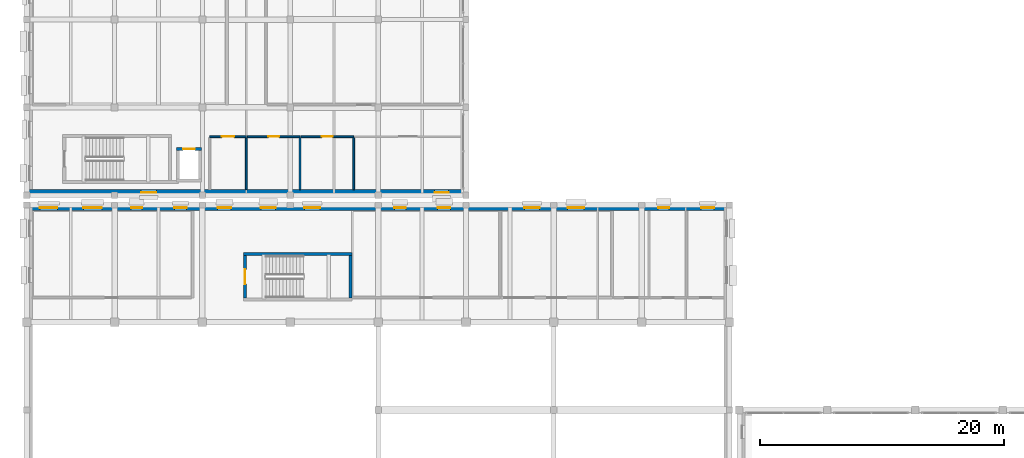
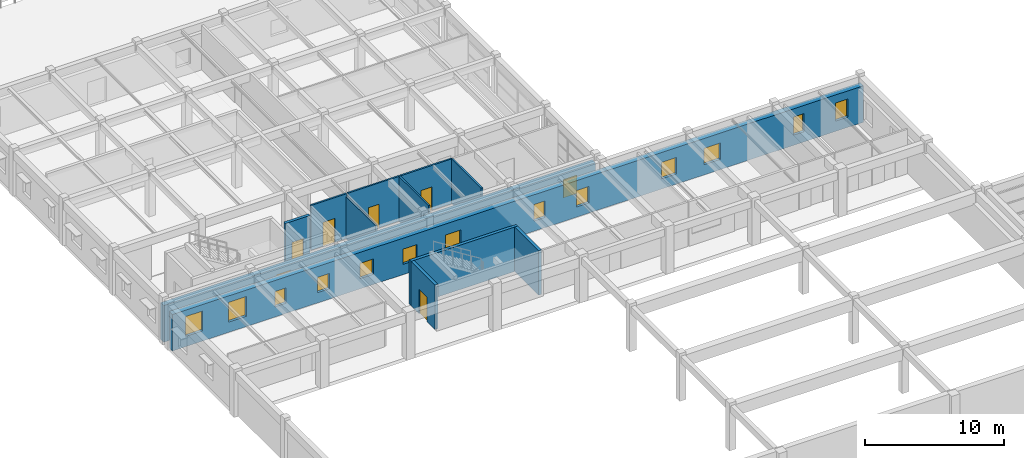
# One storey, part 45 of 67: 15 windows, 12 walls, 5 doors, 20 openings.
"""IFC4 building model written with IfcOpenShell, lengths in metres."""

from ifc_helpers import new_model, si_unit, direction, frame, frame_2d, origin, place, context, subcontext, project, spatial, rectangle, extrude, material, layer, layer_set, type_object, element, fill, save


model = new_model("IFC4")

# Units and contexts
model_context = context("Model", 3, precision=1e-05, world=origin(), true_north=direction((0.0, 1.0)))
body_context = subcontext(model_context, "Body", "Model", "MODEL_VIEW")
ifc_project = project(units=[si_unit("LENGTHUNIT", "METRE"), si_unit("AREAUNIT", "SQUARE_METRE"), si_unit("VOLUMEUNIT", "CUBIC_METRE"), si_unit("PLANEANGLEUNIT", "RADIAN"), si_unit("MASSUNIT", "GRAM", prefix="KILO")], contexts=[model_context])

# Site, building, storey
site_placement = place(None, origin())
site = spatial("IfcSite", under=ifc_project, at=site_placement, CompositionType="ELEMENT")
building_placement = place(site_placement, origin())
building = spatial("IfcBuilding", under=site, at=building_placement, Name="Bramveld Media Centre", CompositionType="ELEMENT")
storey_placement = place(building_placement, frame((0.0, 0.0, 5.39990234375)))
storey = spatial("IfcBuildingStorey", under=building, at=storey_placement, Name="L01", CompositionType="ELEMENT", Elevation=5.39990234375)

# Wall
ifc_material_1 = material(Name="Concrete C40/50 stair & lift core wall", Category="concrete")
ifc_layer_1 = layer(ifc_material_1, 0.25)
ifc_layer_set_1 = layer_set([ifc_layer_1], Name="Concrete C40/50 stair & lift core wall")
wall_type_1 = type_object("IfcWallType", Name="CWALL-SHEAR-250", PredefinedType="SHEAR", material=ifc_layer_set_1)
wall_1_placement = place(storey_placement, frame((26.64990234375, 34.375, 0.0), z_axis=(0.0, 0.0, 1.0), x_axis=(-1.0, 0.0, 0.0)))
element("IfcWall", 1, at=wall_1_placement, inside=storey, type_object=wall_type_1, Name="ST-05 L01 stair core shear wall N", PredefinedType="SHEAR", context=body_context, shape_type="SweptSolid", body=[
    extrude(rectangle(XDim=8.89990234375, YDim=0.25, at=frame_2d((4.449951171875, 0.0))), origin(), (0.0, 0.0, 1.0), 3.920166015625),
])

# Wall, opening, door
wall_2_placement = place(storey_placement, frame((17.875, 34.25, 0.0), z_axis=(0.0, 0.0, 1.0), x_axis=(0.0, -1.0, 0.0)))
wall_2 = element("IfcWall", 2, at=wall_2_placement, inside=storey, type_object=wall_type_1, Name="ST-05 L01 stair core shear wall W", PredefinedType="SHEAR", context=body_context, shape_type="SweptSolid", body=[
    extrude(rectangle(XDim=3.449951171875, YDim=0.25, at=frame_2d((1.72509765625, 0.0))), origin(), (0.0, 0.0, 1.0), 3.920166015625),
])
opening_1_placement = place(wall_2_placement, frame((1.125, 0.0, 0.0)))
opening_1 = element("IfcOpeningElement", 3, at=opening_1_placement, cuts=wall_2, Name="Opening SD-05-L01", PredefinedType="OPENING", context=body_context, shape_type="SweptSolid", body=[
    extrude(rectangle(XDim=1.199951171875, YDim=2.14990234375, at=frame_2d((0.60009765625, 1.074951171875))), frame((0.0, 0.136962890625, 0.0), z_axis=(0.0, -1.0, 0.0), x_axis=(1.0, 0.0, 0.0)), (0.0, 0.0, 1.0), 0.27392578125),
])
ifc_material_2 = material(Name="Painted galvanized steel acoustic fire door with intumescent smoke seals", Category="steel")
door_type_1 = type_object("IfcDoorType", Name="DR-ST-1200", OperationType="NOTDEFINED", PredefinedType="DOOR", material=ifc_material_2)
door_1_placement = place(opening_1_placement, origin())
door_1 = element("IfcDoor", 4, at=door_1_placement, inside=storey, type_object=door_type_1, Name="ST-05 L01 pressurized stair fire door", OperationType="SINGLE_SWING_RIGHT", OverallHeight=2.14990234375, OverallWidth=1.199951171875, PredefinedType="DOOR", context=body_context, shape_type="SweptSolid", body=[
    extrude(rectangle(XDim=1.199951171875, YDim=2.14990234375, at=frame_2d((0.60009765625, 1.074951171875))), frame((0.0, 0.02490234375, 0.0), z_axis=(0.0, -1.0, 0.0), x_axis=(1.0, 0.0, 0.0)), (0.0, 0.0, 1.0), 0.050048828125),
])
fill(opening_1, door_1)

# Wall
wall_3_placement = place(storey_placement, frame((26.52490234375, 30.800048828125, 0.0), z_axis=(0.0, 0.0, 1.0), x_axis=(0.0, 1.0, 0.0)))
element("IfcWall", 5, at=wall_3_placement, inside=storey, type_object=wall_type_1, Name="ST-05 L01 stair core shear wall E", PredefinedType="SHEAR", context=body_context, shape_type="SweptSolid", body=[
    extrude(rectangle(XDim=3.449951171875, YDim=0.25, at=frame_2d((1.72509765625, 0.0))), origin(), (0.0, 0.0, 1.0), 3.920166015625),
])

# Wall, opening, door
wall_4_placement = place(storey_placement, frame((14.324951171875, 43.0, 0.0), z_axis=(0.0, 0.0, 1.0), x_axis=(-1.0, 0.0, 0.0)))
wall_4 = element("IfcWall", 6, at=wall_4_placement, inside=storey, type_object=wall_type_1, Name="PL-05 L01 lift shaft wall N", PredefinedType="SHEAR", context=body_context, shape_type="SweptSolid", body=[
    extrude(rectangle(XDim=2.050048828125, YDim=0.25, at=frame_2d((1.02490234375, 0.0))), origin(), (0.0, 0.0, 1.0), 3.940185546875),
])
opening_2_placement = place(wall_4_placement, frame((0.550048828125, 0.0, 0.0)))
opening_2 = element("IfcOpeningElement", 7, at=opening_2_placement, cuts=wall_4, Name="Opening LD-03-05-L01", PredefinedType="OPENING", context=body_context, shape_type="SweptSolid", body=[
    extrude(rectangle(XDim=0.949951171875, YDim=2.10009765625, at=frame_2d((0.47509765625, 1.050048828125))), frame((0.0, 0.136962890625, 0.0), z_axis=(0.0, -1.0, 0.0), x_axis=(1.0, 0.0, 0.0)), (0.0, 0.0, 1.0), 0.27392578125),
])
ifc_material_3 = material(Name="Brushed stainless steel automatic fire-rated sliding lift landing door", Category="steel")
door_type_2 = type_object("IfcDoorType", Name="LD-TYPE-03", OperationType="SLIDING_TO_LEFT", PredefinedType="DOOR", material=ifc_material_3)
door_2_placement = place(opening_2_placement, origin())
door_2 = element("IfcDoor", 8, at=door_2_placement, inside=storey, type_object=door_type_2, Name="PL-05 L01 sliding lift landing door", OperationType="SLIDING_TO_LEFT", OverallHeight=2.10009765625, OverallWidth=0.949951171875, PredefinedType="DOOR", context=body_context, shape_type="SweptSolid", body=[
    extrude(rectangle(XDim=0.949951171875, YDim=2.10009765625, at=frame_2d((0.47509765625, 1.050048828125))), frame((0.0, 0.02490234375, 0.0), z_axis=(0.0, -1.0, 0.0), x_axis=(1.0, 0.0, 0.0)), (0.0, 0.0, 1.0), 0.050048828125),
])
fill(opening_2, door_2)

# Wall, openings, windows
ifc_material_4 = material(Name="Flemish red-brown clay facing brick cavity wall with concrete C35/45 inner leaf", Category="masonry")
ifc_layer_2 = layer(ifc_material_4, 0.4599609375)
ifc_layer_set_2 = layer_set([ifc_layer_2], Name="Flemish red-brown clay facing brick cavity wall with concrete C35/45 inner leaf")
wall_type_2 = type_object("IfcWallType", Name="EW-BRK-460", PredefinedType="SOLIDWALL", material=ifc_layer_set_2)
wall_5_placement = place(storey_placement, frame((0.0, 38.169921875, 0.0), z_axis=(0.0, 0.0, 1.0), x_axis=(1.0, 0.0, 0.0)))
wall_5 = element("IfcWall", 9, at=wall_5_placement, inside=storey, type_object=wall_type_2, Name="V2 L01 N facing brick exterior wall", PredefinedType="SOLIDWALL", context=body_context, shape_type="SweptSolid", body=[
    extrude(rectangle(XDim=57.60009765625, YDim=0.4599609375, at=frame_2d((28.800048828125, 0.0))), origin(), (0.0, 0.0, 1.0), 3.215087890625),
])
opening_3_placement = place(wall_5_placement, frame((1.080078125, 0.0, 0.89990234375)))
opening_3 = element("IfcOpeningElement", 10, at=opening_3_placement, cuts=wall_5, Name="Opening W-23", PredefinedType="OPENING", context=body_context, shape_type="SweptSolid", body=[
    extrude(rectangle(XDim=1.43994140625, YDim=1.75, at=frame_2d((0.719970703125, 0.875))), frame((0.0, 0.241943359375, 0.0), z_axis=(0.0, -1.0, 0.0), x_axis=(1.0, 0.0, 0.0)), (0.0, 0.0, 1.0), 0.48388671875),
])
opening_4_placement = place(wall_5_placement, frame((4.64990234375, 0.0, 0.89990234375)))
opening_4 = element("IfcOpeningElement", 11, at=opening_4_placement, cuts=wall_5, Name="Opening W-24", PredefinedType="OPENING", context=body_context, shape_type="SweptSolid", body=[
    extrude(rectangle(XDim=1.5, YDim=1.75, at=frame_2d((0.75, 0.875))), frame((0.0, 0.241943359375, 0.0), z_axis=(0.0, -1.0, 0.0), x_axis=(1.0, 0.0, 0.0)), (0.0, 0.0, 1.0), 0.48388671875),
])
opening_5_placement = place(wall_5_placement, frame((8.550048828125, 0.0, 0.89990234375)))
opening_5 = element("IfcOpeningElement", 12, at=opening_5_placement, cuts=wall_5, Name="Opening W-01", PredefinedType="OPENING", context=body_context, shape_type="SweptSolid", body=[
    extrude(rectangle(XDim=0.89990234375, YDim=1.35009765625, at=frame_2d((0.449951171875, 0.675048828125))), frame((0.0, 0.241943359375, 0.0), z_axis=(0.0, -1.0, 0.0), x_axis=(1.0, 0.0, 0.0)), (0.0, 0.0, 1.0), 0.48388671875),
])
opening_6_placement = place(wall_5_placement, frame((12.10009765625, 0.0, 0.89990234375)))
opening_6 = element("IfcOpeningElement", 13, at=opening_6_placement, cuts=wall_5, Name="Opening W-02", PredefinedType="OPENING", context=body_context, shape_type="SweptSolid", body=[
    extrude(rectangle(XDim=1.0, YDim=1.35009765625, at=frame_2d((0.5, 0.675048828125))), frame((0.0, 0.241943359375, 0.0), z_axis=(0.0, -1.0, 0.0), x_axis=(1.0, 0.0, 0.0)), (0.0, 0.0, 1.0), 0.48388671875),
])
opening_7_placement = place(wall_5_placement, frame((15.64990234375, 0.0, 0.89990234375)))
opening_7 = element("IfcOpeningElement", 14, at=opening_7_placement, cuts=wall_5, Name="Opening W-03", PredefinedType="OPENING", context=body_context, shape_type="SweptSolid", body=[
    extrude(rectangle(XDim=1.10009765625, YDim=1.35009765625, at=frame_2d((0.550048828125, 0.675048828125))), frame((0.0, 0.241943359375, 0.0), z_axis=(0.0, -1.0, 0.0), x_axis=(1.0, 0.0, 0.0)), (0.0, 0.0, 1.0), 0.48388671875),
])
opening_8_placement = place(wall_5_placement, frame((19.199951171875, 0.0, 0.89990234375)))
opening_8 = element("IfcOpeningElement", 15, at=opening_8_placement, cuts=wall_5, Name="Opening W-04", PredefinedType="OPENING", context=body_context, shape_type="SweptSolid", body=[
    extrude(rectangle(XDim=1.199951171875, YDim=1.35009765625, at=frame_2d((0.60009765625, 0.675048828125))), frame((0.0, 0.241943359375, 0.0), z_axis=(0.0, -1.0, 0.0), x_axis=(1.0, 0.0, 0.0)), (0.0, 0.0, 1.0), 0.48388671875),
])
opening_9_placement = place(wall_5_placement, frame((22.75, 0.0, 0.89990234375)))
opening_9 = element("IfcOpeningElement", 16, at=opening_9_placement, cuts=wall_5, Name="Opening W-05", PredefinedType="OPENING", context=body_context, shape_type="SweptSolid", body=[
    extrude(rectangle(XDim=1.300048828125, YDim=1.35009765625, at=frame_2d((0.64990234375, 0.675048828125))), frame((0.0, 0.241943359375, 0.0), z_axis=(0.0, -1.0, 0.0), x_axis=(1.0, 0.0, 0.0)), (0.0, 0.0, 1.0), 0.48388671875),
])
opening_10_placement = place(wall_5_placement, frame((30.125, 0.0, 0.89990234375)))
opening_10 = element("IfcOpeningElement", 17, at=opening_10_placement, cuts=wall_5, Name="Opening W-07", PredefinedType="OPENING", context=body_context, shape_type="SweptSolid", body=[
    extrude(rectangle(XDim=0.949951171875, YDim=1.449951171875, at=frame_2d((0.47509765625, 0.72509765625))), frame((0.0, 0.241943359375, 0.0), z_axis=(0.0, -1.0, 0.0), x_axis=(1.0, 0.0, 0.0)), (0.0, 0.0, 1.0), 0.48388671875),
])
opening_11_placement = place(wall_5_placement, frame((33.675048828125, 0.0, 0.89990234375)))
opening_11 = element("IfcOpeningElement", 18, at=opening_11_placement, cuts=wall_5, Name="Opening W-08", PredefinedType="OPENING", context=body_context, shape_type="SweptSolid", body=[
    extrude(rectangle(XDim=1.050048828125, YDim=1.449951171875, at=frame_2d((0.52490234375, 0.72509765625))), frame((0.0, 0.241943359375, 0.0), z_axis=(0.0, -1.0, 0.0), x_axis=(1.0, 0.0, 0.0)), (0.0, 0.0, 1.0), 0.48388671875),
])
opening_12_placement = place(wall_5_placement, frame((40.77490234375, 0.0, 0.89990234375)))
opening_12 = element("IfcOpeningElement", 19, at=opening_12_placement, cuts=wall_5, Name="Opening W-10", PredefinedType="OPENING", context=body_context, shape_type="SweptSolid", body=[
    extrude(rectangle(XDim=1.25, YDim=1.449951171875, at=frame_2d((0.625, 0.72509765625))), frame((0.0, 0.241943359375, 0.0), z_axis=(0.0, -1.0, 0.0), x_axis=(1.0, 0.0, 0.0)), (0.0, 0.0, 1.0), 0.48388671875),
])
opening_13_placement = place(wall_5_placement, frame((44.324951171875, 0.0, 0.89990234375)))
opening_13 = element("IfcOpeningElement", 20, at=opening_13_placement, cuts=wall_5, Name="Opening W-11", PredefinedType="OPENING", context=body_context, shape_type="SweptSolid", body=[
    extrude(rectangle(XDim=1.35009765625, YDim=1.449951171875, at=frame_2d((0.675048828125, 0.72509765625))), frame((0.0, 0.241943359375, 0.0), z_axis=(0.0, -1.0, 0.0), x_axis=(1.0, 0.0, 0.0)), (0.0, 0.0, 1.0), 0.48388671875),
])
opening_14_placement = place(wall_5_placement, frame((51.75, 0.0, 0.89990234375)))
opening_14 = element("IfcOpeningElement", 21, at=opening_14_placement, cuts=wall_5, Name="Opening W-13", PredefinedType="OPENING", context=body_context, shape_type="SweptSolid", body=[
    extrude(rectangle(XDim=0.89990234375, YDim=1.60009765625, at=frame_2d((0.449951171875, 0.800048828125))), frame((0.0, 0.241943359375, 0.0), z_axis=(0.0, -1.0, 0.0), x_axis=(1.0, 0.0, 0.0)), (0.0, 0.0, 1.0), 0.48388671875),
])
opening_15_placement = place(wall_5_placement, frame((55.27490234375, 0.0, 0.89990234375)))
opening_15 = element("IfcOpeningElement", 22, at=opening_15_placement, cuts=wall_5, Name="Opening W-14", PredefinedType="OPENING", context=body_context, shape_type="SweptSolid", body=[
    extrude(rectangle(XDim=1.050048828125, YDim=1.60009765625, at=frame_2d((0.52490234375, 0.800048828125))), frame((0.0, 0.241943359375, 0.0), z_axis=(0.0, -1.0, 0.0), x_axis=(1.0, 0.0, 0.0)), (0.0, 0.0, 1.0), 0.48388671875),
])
ifc_material_5 = material(Name="Thermally broken anodized bronze aluminium frame with triple acoustic glazing", Category="aluminium")
window_type_1 = type_object("IfcWindowType", Name="WIN-FAC-01", PartitioningType="SINGLE_PANEL", PredefinedType="WINDOW", material=ifc_material_5)
window_1_placement = place(opening_5_placement, origin())
window_1 = element("IfcWindow", 23, at=window_1_placement, inside=storey, type_object=window_type_1, Name="V2 L01 N acoustic facade window", OverallHeight=1.35009765625, OverallWidth=0.89990234375, PartitioningType="SINGLE_PANEL", PredefinedType="WINDOW", context=body_context, shape_type="SweptSolid", body=[
    extrude(rectangle(XDim=0.89990234375, YDim=1.35009765625, at=frame_2d((0.449951171875, 0.675048828125))), frame((0.0, 0.030029296875, 0.0), z_axis=(0.0, -1.0, 0.0), x_axis=(1.0, 0.0, 0.0)), (0.0, 0.0, 1.0), 0.06005859375),
])
fill(opening_5, window_1)
ifc_material_6 = material(Name="Thermally broken anodized bronze aluminium frame with triple acoustic glazing", Category="aluminium")
window_type_2 = type_object("IfcWindowType", Name="WIN-FAC-02", PartitioningType="SINGLE_PANEL", PredefinedType="WINDOW", material=ifc_material_6)
window_2_placement = place(opening_6_placement, origin())
window_2 = element("IfcWindow", 24, at=window_2_placement, inside=storey, type_object=window_type_2, Name="V2 L01 N acoustic facade window", OverallHeight=1.35009765625, OverallWidth=1.0, PartitioningType="SINGLE_PANEL", PredefinedType="WINDOW", context=body_context, shape_type="SweptSolid", body=[
    extrude(rectangle(XDim=1.0, YDim=1.35009765625, at=frame_2d((0.5, 0.675048828125))), frame((0.0, 0.030029296875, 0.0), z_axis=(0.0, -1.0, 0.0), x_axis=(1.0, 0.0, 0.0)), (0.0, 0.0, 1.0), 0.06005859375),
])
fill(opening_6, window_2)
ifc_material_7 = material(Name="Thermally broken anodized bronze aluminium frame with triple acoustic glazing", Category="aluminium")
window_type_3 = type_object("IfcWindowType", Name="WIN-FAC-03", PartitioningType="SINGLE_PANEL", PredefinedType="WINDOW", material=ifc_material_7)
window_3_placement = place(opening_7_placement, origin())
window_3 = element("IfcWindow", 25, at=window_3_placement, inside=storey, type_object=window_type_3, Name="V2 L01 N acoustic facade window", OverallHeight=1.35009765625, OverallWidth=1.10009765625, PartitioningType="SINGLE_PANEL", PredefinedType="WINDOW", context=body_context, shape_type="SweptSolid", body=[
    extrude(rectangle(XDim=1.10009765625, YDim=1.35009765625, at=frame_2d((0.550048828125, 0.675048828125))), frame((0.0, 0.030029296875, 0.0), z_axis=(0.0, -1.0, 0.0), x_axis=(1.0, 0.0, 0.0)), (0.0, 0.0, 1.0), 0.06005859375),
])
fill(opening_7, window_3)
ifc_material_8 = material(Name="Thermally broken anodized bronze aluminium frame with triple acoustic glazing", Category="aluminium")
window_type_4 = type_object("IfcWindowType", Name="WIN-FAC-04", PartitioningType="SINGLE_PANEL", PredefinedType="WINDOW", material=ifc_material_8)
window_4_placement = place(opening_8_placement, origin())
window_4 = element("IfcWindow", 26, at=window_4_placement, inside=storey, type_object=window_type_4, Name="V2 L01 N acoustic facade window", OverallHeight=1.35009765625, OverallWidth=1.199951171875, PartitioningType="SINGLE_PANEL", PredefinedType="WINDOW", context=body_context, shape_type="SweptSolid", body=[
    extrude(rectangle(XDim=1.199951171875, YDim=1.35009765625, at=frame_2d((0.60009765625, 0.675048828125))), frame((0.0, 0.030029296875, 0.0), z_axis=(0.0, -1.0, 0.0), x_axis=(1.0, 0.0, 0.0)), (0.0, 0.0, 1.0), 0.06005859375),
])
fill(opening_8, window_4)
ifc_material_9 = material(Name="Thermally broken anodized bronze aluminium frame with triple acoustic glazing", Category="aluminium")
window_type_5 = type_object("IfcWindowType", Name="WIN-FAC-05", PartitioningType="SINGLE_PANEL", PredefinedType="WINDOW", material=ifc_material_9)
window_5_placement = place(opening_9_placement, origin())
window_5 = element("IfcWindow", 27, at=window_5_placement, inside=storey, type_object=window_type_5, Name="V2 L01 N acoustic facade window", OverallHeight=1.35009765625, OverallWidth=1.300048828125, PartitioningType="SINGLE_PANEL", PredefinedType="WINDOW", context=body_context, shape_type="SweptSolid", body=[
    extrude(rectangle(XDim=1.300048828125, YDim=1.35009765625, at=frame_2d((0.64990234375, 0.675048828125))), frame((0.0, 0.030029296875, 0.0), z_axis=(0.0, -1.0, 0.0), x_axis=(1.0, 0.0, 0.0)), (0.0, 0.0, 1.0), 0.06005859375),
])
fill(opening_9, window_5)
ifc_material_10 = material(Name="Thermally broken anodized bronze aluminium frame with triple acoustic glazing", Category="aluminium")
window_type_6 = type_object("IfcWindowType", Name="WIN-FAC-07", PartitioningType="SINGLE_PANEL", PredefinedType="WINDOW", material=ifc_material_10)
window_6_placement = place(opening_10_placement, origin())
window_6 = element("IfcWindow", 28, at=window_6_placement, inside=storey, type_object=window_type_6, Name="V2 L01 N acoustic facade window", OverallHeight=1.449951171875, OverallWidth=0.949951171875, PartitioningType="SINGLE_PANEL", PredefinedType="WINDOW", context=body_context, shape_type="SweptSolid", body=[
    extrude(rectangle(XDim=0.949951171875, YDim=1.449951171875, at=frame_2d((0.47509765625, 0.72509765625))), frame((0.0, 0.030029296875, 0.0), z_axis=(0.0, -1.0, 0.0), x_axis=(1.0, 0.0, 0.0)), (0.0, 0.0, 1.0), 0.06005859375),
])
fill(opening_10, window_6)
ifc_material_11 = material(Name="Thermally broken anodized bronze aluminium frame with triple acoustic glazing", Category="aluminium")
window_type_7 = type_object("IfcWindowType", Name="WIN-FAC-08", PartitioningType="SINGLE_PANEL", PredefinedType="WINDOW", material=ifc_material_11)
window_7_placement = place(opening_11_placement, origin())
window_7 = element("IfcWindow", 29, at=window_7_placement, inside=storey, type_object=window_type_7, Name="V2 L01 N acoustic facade window", OverallHeight=1.449951171875, OverallWidth=1.050048828125, PartitioningType="SINGLE_PANEL", PredefinedType="WINDOW", context=body_context, shape_type="SweptSolid", body=[
    extrude(rectangle(XDim=1.050048828125, YDim=1.449951171875, at=frame_2d((0.52490234375, 0.72509765625))), frame((0.0, 0.030029296875, 0.0), z_axis=(0.0, -1.0, 0.0), x_axis=(1.0, 0.0, 0.0)), (0.0, 0.0, 1.0), 0.06005859375),
])
fill(opening_11, window_7)
ifc_material_12 = material(Name="Thermally broken anodized bronze aluminium frame with triple acoustic glazing", Category="aluminium")
window_type_8 = type_object("IfcWindowType", Name="WIN-FAC-10", PartitioningType="SINGLE_PANEL", PredefinedType="WINDOW", material=ifc_material_12)
window_8_placement = place(opening_12_placement, origin())
window_8 = element("IfcWindow", 30, at=window_8_placement, inside=storey, type_object=window_type_8, Name="V2 L01 N acoustic facade window", OverallHeight=1.449951171875, OverallWidth=1.25, PartitioningType="SINGLE_PANEL", PredefinedType="WINDOW", context=body_context, shape_type="SweptSolid", body=[
    extrude(rectangle(XDim=1.25, YDim=1.449951171875, at=frame_2d((0.625, 0.72509765625))), frame((0.0, 0.030029296875, 0.0), z_axis=(0.0, -1.0, 0.0), x_axis=(1.0, 0.0, 0.0)), (0.0, 0.0, 1.0), 0.06005859375),
])
fill(opening_12, window_8)
ifc_material_13 = material(Name="Thermally broken anodized bronze aluminium frame with triple acoustic glazing", Category="aluminium")
window_type_9 = type_object("IfcWindowType", Name="WIN-FAC-11", PartitioningType="SINGLE_PANEL", PredefinedType="WINDOW", material=ifc_material_13)
window_9_placement = place(opening_13_placement, origin())
window_9 = element("IfcWindow", 31, at=window_9_placement, inside=storey, type_object=window_type_9, Name="V2 L01 N acoustic facade window", OverallHeight=1.449951171875, OverallWidth=1.35009765625, PartitioningType="SINGLE_PANEL", PredefinedType="WINDOW", context=body_context, shape_type="SweptSolid", body=[
    extrude(rectangle(XDim=1.35009765625, YDim=1.449951171875, at=frame_2d((0.675048828125, 0.72509765625))), frame((0.0, 0.030029296875, 0.0), z_axis=(0.0, -1.0, 0.0), x_axis=(1.0, 0.0, 0.0)), (0.0, 0.0, 1.0), 0.06005859375),
])
fill(opening_13, window_9)
ifc_material_14 = material(Name="Thermally broken anodized bronze aluminium frame with triple acoustic glazing", Category="aluminium")
window_type_10 = type_object("IfcWindowType", Name="WIN-FAC-13", PartitioningType="SINGLE_PANEL", PredefinedType="WINDOW", material=ifc_material_14)
window_10_placement = place(opening_14_placement, origin())
window_10 = element("IfcWindow", 32, at=window_10_placement, inside=storey, type_object=window_type_10, Name="V2 L01 N acoustic facade window", OverallHeight=1.60009765625, OverallWidth=0.89990234375, PartitioningType="SINGLE_PANEL", PredefinedType="WINDOW", context=body_context, shape_type="SweptSolid", body=[
    extrude(rectangle(XDim=0.89990234375, YDim=1.60009765625, at=frame_2d((0.449951171875, 0.800048828125))), frame((0.0, 0.030029296875, 0.0), z_axis=(0.0, -1.0, 0.0), x_axis=(1.0, 0.0, 0.0)), (0.0, 0.0, 1.0), 0.06005859375),
])
fill(opening_14, window_10)
ifc_material_15 = material(Name="Thermally broken anodized bronze aluminium frame with triple acoustic glazing", Category="aluminium")
window_type_11 = type_object("IfcWindowType", Name="WIN-FAC-14", PartitioningType="SINGLE_PANEL", PredefinedType="WINDOW", material=ifc_material_15)
window_11_placement = place(opening_15_placement, origin())
window_11 = element("IfcWindow", 33, at=window_11_placement, inside=storey, type_object=window_type_11, Name="V2 L01 N acoustic facade window", OverallHeight=1.60009765625, OverallWidth=1.050048828125, PartitioningType="SINGLE_PANEL", PredefinedType="WINDOW", context=body_context, shape_type="SweptSolid", body=[
    extrude(rectangle(XDim=1.050048828125, YDim=1.60009765625, at=frame_2d((0.52490234375, 0.800048828125))), frame((0.0, 0.030029296875, 0.0), z_axis=(0.0, -1.0, 0.0), x_axis=(1.0, 0.0, 0.0)), (0.0, 0.0, 1.0), 0.06005859375),
])
fill(opening_15, window_11)
ifc_material_16 = material(Name="Thermally broken anodized bronze aluminium frame with triple acoustic glazing", Category="aluminium")
window_type_12 = type_object("IfcWindowType", Name="WIN-FAC-23", PartitioningType="SINGLE_PANEL", PredefinedType="WINDOW", material=ifc_material_16)
window_12_placement = place(opening_3_placement, origin())
window_12 = element("IfcWindow", 34, at=window_12_placement, inside=storey, type_object=window_type_12, Name="V2 L01 N acoustic facade window", OverallHeight=1.75, OverallWidth=1.43994140625, PartitioningType="SINGLE_PANEL", PredefinedType="WINDOW", context=body_context, shape_type="SweptSolid", body=[
    extrude(rectangle(XDim=1.43994140625, YDim=1.75, at=frame_2d((0.719970703125, 0.875))), frame((0.0, 0.030029296875, 0.0), z_axis=(0.0, -1.0, 0.0), x_axis=(1.0, 0.0, 0.0)), (0.0, 0.0, 1.0), 0.06005859375),
])
fill(opening_3, window_12)
ifc_material_17 = material(Name="Thermally broken anodized bronze aluminium frame with triple acoustic glazing", Category="aluminium")
window_type_13 = type_object("IfcWindowType", Name="WIN-FAC-24", PartitioningType="SINGLE_PANEL", PredefinedType="WINDOW", material=ifc_material_17)
window_13_placement = place(opening_4_placement, origin())
window_13 = element("IfcWindow", 35, at=window_13_placement, inside=storey, type_object=window_type_13, Name="V2 L01 N acoustic facade window", OverallHeight=1.75, OverallWidth=1.5, PartitioningType="SINGLE_PANEL", PredefinedType="WINDOW", context=body_context, shape_type="SweptSolid", body=[
    extrude(rectangle(XDim=1.5, YDim=1.75, at=frame_2d((0.75, 0.875))), frame((0.0, 0.030029296875, 0.0), z_axis=(0.0, -1.0, 0.0), x_axis=(1.0, 0.0, 0.0)), (0.0, 0.0, 1.0), 0.06005859375),
])
fill(opening_4, window_13)

wall_6_placement = place(storey_placement, frame((36.0, 39.429931640625, 0.0), z_axis=(0.0, 0.0, 1.0), x_axis=(-1.0, 0.0, 0.0)))
wall_6 = element("IfcWall", 36, at=wall_6_placement, inside=storey, type_object=wall_type_2, Name="V3 L01 S facing brick exterior wall", PredefinedType="SOLIDWALL", context=body_context, shape_type="SweptSolid", body=[
    extrude(rectangle(XDim=36.0, YDim=0.4599609375, at=frame_2d((18.0, 0.0))), origin(), (0.0, 0.0, 1.0), 3.235107421875),
])
opening_16_placement = place(wall_6_placement, frame((1.425048828125, 0.0, 0.89990234375)))
opening_16 = element("IfcOpeningElement", 37, at=opening_16_placement, cuts=wall_6, Name="Opening W-15", PredefinedType="OPENING", context=body_context, shape_type="SweptSolid", body=[
    extrude(rectangle(XDim=1.14990234375, YDim=1.60009765625, at=frame_2d((0.574951171875, 0.800048828125))), frame((0.0, 0.241943359375, 0.0), z_axis=(0.0, -1.0, 0.0), x_axis=(1.0, 0.0, 0.0)), (0.0, 0.0, 1.0), 0.48388671875),
])
opening_17_placement = place(wall_6_placement, frame((25.3798828125, 0.0, 0.89990234375)))
opening_17 = element("IfcOpeningElement", 38, at=opening_17_placement, cuts=wall_6, Name="Opening W-21", PredefinedType="OPENING", context=body_context, shape_type="SweptSolid", body=[
    extrude(rectangle(XDim=1.239990234375, YDim=1.75, at=frame_2d((0.6201171875, 0.875))), frame((0.0, 0.241943359375, 0.0), z_axis=(0.0, -1.0, 0.0), x_axis=(1.0, 0.0, 0.0)), (0.0, 0.0, 1.0), 0.48388671875),
])
ifc_material_18 = material(Name="Thermally broken anodized bronze aluminium frame with triple acoustic glazing", Category="aluminium")
window_type_14 = type_object("IfcWindowType", Name="WIN-FAC-15", PartitioningType="SINGLE_PANEL", PredefinedType="WINDOW", material=ifc_material_18)
window_14_placement = place(opening_16_placement, origin())
window_14 = element("IfcWindow", 39, at=window_14_placement, inside=storey, type_object=window_type_14, Name="V3 L01 S acoustic facade window", OverallHeight=1.60009765625, OverallWidth=1.14990234375, PartitioningType="SINGLE_PANEL", PredefinedType="WINDOW", context=body_context, shape_type="SweptSolid", body=[
    extrude(rectangle(XDim=1.14990234375, YDim=1.60009765625, at=frame_2d((0.574951171875, 0.800048828125))), frame((0.0, 0.030029296875, 0.0), z_axis=(0.0, -1.0, 0.0), x_axis=(1.0, 0.0, 0.0)), (0.0, 0.0, 1.0), 0.06005859375),
])
fill(opening_16, window_14)
ifc_material_19 = material(Name="Thermally broken anodized bronze aluminium frame with triple acoustic glazing", Category="aluminium")
window_type_15 = type_object("IfcWindowType", Name="WIN-FAC-21", PartitioningType="SINGLE_PANEL", PredefinedType="WINDOW", material=ifc_material_19)
window_15_placement = place(opening_17_placement, origin())
window_15 = element("IfcWindow", 40, at=window_15_placement, inside=storey, type_object=window_type_15, Name="V3 L01 S acoustic facade window", OverallHeight=1.75, OverallWidth=1.239990234375, PartitioningType="SINGLE_PANEL", PredefinedType="WINDOW", context=body_context, shape_type="SweptSolid", body=[
    extrude(rectangle(XDim=1.239990234375, YDim=1.75, at=frame_2d((0.6201171875, 0.875))), frame((0.0, 0.030029296875, 0.0), z_axis=(0.0, -1.0, 0.0), x_axis=(1.0, 0.0, 0.0)), (0.0, 0.0, 1.0), 0.06005859375),
])
fill(opening_17, window_15)

# Wall, opening, door
ifc_material_20 = material(Name="Moisture-resistant cement-board sanitary partition", Category="gypsum")
ifc_layer_3 = layer(ifc_material_20, 0.139892578125)
ifc_layer_set_3 = layer_set([ifc_layer_3], Name="Moisture-resistant cement-board sanitary partition")
wall_type_3 = type_object("IfcWallType", Name="IW-WET-140", PredefinedType="PARTITIONING", material=ifc_layer_set_3)
wall_7_placement = place(storey_placement, frame((15.0, 44.0, 0.0), z_axis=(0.0, 0.0, 1.0), x_axis=(1.0, 0.0, 0.0)))
wall_7 = element("IfcWall", 41, at=wall_7_placement, inside=storey, type_object=wall_type_3, Name="Accessible WC partition wall", PredefinedType="PARTITIONING", context=body_context, shape_type="SweptSolid", body=[
    extrude(rectangle(XDim=3.0, YDim=0.139892578125, at=frame_2d((1.5, 0.0))), origin(), (0.0, 0.0, 1.0), 3.940185546875),
])
opening_18_placement = place(wall_7_placement, frame((1.0, 0.0, 0.0)))
opening_18 = element("IfcOpeningElement", 42, at=opening_18_placement, cuts=wall_7, Name="Opening D-01-064", PredefinedType="OPENING", context=body_context, shape_type="SweptSolid", body=[
    extrude(rectangle(XDim=1.0, YDim=2.10009765625, at=frame_2d((0.5, 1.050048828125))), frame((0.0, 0.08203125, 0.0), z_axis=(0.0, -1.0, 0.0), x_axis=(1.0, 0.0, 0.0)), (0.0, 0.0, 1.0), 0.163818359375),
])
ifc_material_21 = material(Name="Solid-core European oak acoustic timber leaf in steel frame", Category="steel")
door_type_3 = type_object("IfcDoorType", Name="DR-WC-PMR-1000", OperationType="NOTDEFINED", PredefinedType="DOOR", material=ifc_material_21)
door_3_placement = place(opening_18_placement, origin())
door_3 = element("IfcDoor", 43, at=door_3_placement, inside=storey, type_object=door_type_3, Name="Accessible WC entrance door", OperationType="SINGLE_SWING_RIGHT", OverallHeight=2.10009765625, OverallWidth=1.0, PredefinedType="DOOR", context=body_context, shape_type="SweptSolid", body=[
    extrude(rectangle(XDim=1.0, YDim=2.10009765625, at=frame_2d((0.5, 1.050048828125))), frame((0.0, 0.02490234375, 0.0), z_axis=(0.0, -1.0, 0.0), x_axis=(1.0, 0.0, 0.0)), (0.0, 0.0, 1.0), 0.050048828125),
])
fill(opening_18, door_3)

# Wall
wall_8_placement = place(storey_placement, frame((18.0, 39.669921875, 0.0), z_axis=(0.0, 0.0, 1.0), x_axis=(0.0, 1.0, 0.0)))
element("IfcWall", 44, at=wall_8_placement, inside=storey, type_object=wall_type_3, Name="Accessible WC partition wall", PredefinedType="PARTITIONING", context=body_context, shape_type="SweptSolid", body=[
    extrude(rectangle(XDim=4.25, YDim=0.139892578125, at=frame_2d((2.125, 0.0))), origin(), (0.0, 0.0, 1.0), 3.695068359375),
])

# Wall, opening, door
wall_9_placement = place(storey_placement, frame((18.080078125, 44.0, 0.0), z_axis=(0.0, 0.0, 1.0), x_axis=(1.0, 0.0, 0.0)))
wall_9 = element("IfcWall", 45, at=wall_9_placement, inside=storey, type_object=wall_type_3, Name="Male WC partition wall", PredefinedType="PARTITIONING", context=body_context, shape_type="SweptSolid", body=[
    extrude(rectangle(XDim=4.31982421875, YDim=0.139892578125, at=frame_2d((2.159912109375, 0.0))), origin(), (0.0, 0.0, 1.0), 3.940185546875),
])
opening_19_placement = place(wall_9_placement, frame((1.705078125, 0.0, 0.0)))
opening_19 = element("IfcOpeningElement", 46, at=opening_19_placement, cuts=wall_9, Name="Opening D-01-065", PredefinedType="OPENING", context=body_context, shape_type="SweptSolid", body=[
    extrude(rectangle(XDim=0.909912109375, YDim=2.06005859375, at=frame_2d((0.455078125, 1.030029296875))), frame((0.0, 0.08203125, 0.0), z_axis=(0.0, -1.0, 0.0), x_axis=(1.0, 0.0, 0.0)), (0.0, 0.0, 1.0), 0.163818359375),
])
ifc_material_22 = material(Name="Solid-core European oak acoustic timber leaf in steel frame", Category="steel")
door_type_4 = type_object("IfcDoorType", Name="DR-WC-0910", OperationType="NOTDEFINED", PredefinedType="DOOR", material=ifc_material_22)
door_4_placement = place(opening_19_placement, origin())
door_4 = element("IfcDoor", 47, at=door_4_placement, inside=storey, type_object=door_type_4, Name="Male WC entrance door", OperationType="SINGLE_SWING_LEFT", OverallHeight=2.06005859375, OverallWidth=0.909912109375, PredefinedType="DOOR", context=body_context, shape_type="SweptSolid", body=[
    extrude(rectangle(XDim=0.909912109375, YDim=2.06005859375, at=frame_2d((0.455078125, 1.030029296875))), frame((0.0, 0.02490234375, 0.0), z_axis=(0.0, -1.0, 0.0), x_axis=(1.0, 0.0, 0.0)), (0.0, 0.0, 1.0), 0.050048828125),
])
fill(opening_19, door_4)

# Wall
wall_10_placement = place(storey_placement, frame((22.39990234375, 39.669921875, 0.0), z_axis=(0.0, 0.0, 1.0), x_axis=(0.0, 1.0, 0.0)))
element("IfcWall", 48, at=wall_10_placement, inside=storey, type_object=wall_type_3, Name="Male WC partition wall", PredefinedType="PARTITIONING", context=body_context, shape_type="SweptSolid", body=[
    extrude(rectangle(XDim=4.25, YDim=0.139892578125, at=frame_2d((2.125, 0.0))), origin(), (0.0, 0.0, 1.0), 3.940185546875),
])

# Wall, opening, door
wall_11_placement = place(storey_placement, frame((22.47998046875, 44.0, 0.0), z_axis=(0.0, 0.0, 1.0), x_axis=(1.0, 0.0, 0.0)))
wall_11 = element("IfcWall", 49, at=wall_11_placement, inside=storey, type_object=wall_type_3, Name="Female WC partition wall", PredefinedType="PARTITIONING", context=body_context, shape_type="SweptSolid", body=[
    extrude(rectangle(XDim=4.320068359375, YDim=0.139892578125, at=frame_2d((2.16015625, 0.0))), origin(), (0.0, 0.0, 1.0), 3.940185546875),
])
opening_20_placement = place(wall_11_placement, frame((1.715087890625, 0.0, 0.0)))
opening_20 = element("IfcOpeningElement", 50, at=opening_20_placement, cuts=wall_11, Name="Opening D-01-066", PredefinedType="OPENING", context=body_context, shape_type="SweptSolid", body=[
    extrude(rectangle(XDim=0.889892578125, YDim=2.050048828125, at=frame_2d((0.44482421875, 1.02490234375))), frame((0.0, 0.08203125, 0.0), z_axis=(0.0, -1.0, 0.0), x_axis=(1.0, 0.0, 0.0)), (0.0, 0.0, 1.0), 0.163818359375),
])
ifc_material_23 = material(Name="Solid-core European oak acoustic timber leaf in steel frame", Category="steel")
door_type_5 = type_object("IfcDoorType", Name="DR-WC-0890", OperationType="NOTDEFINED", PredefinedType="DOOR", material=ifc_material_23)
door_5_placement = place(opening_20_placement, origin())
door_5 = element("IfcDoor", 51, at=door_5_placement, inside=storey, type_object=door_type_5, Name="Female WC entrance door", OperationType="SINGLE_SWING_RIGHT", OverallHeight=2.050048828125, OverallWidth=0.889892578125, PredefinedType="DOOR", context=body_context, shape_type="SweptSolid", body=[
    extrude(rectangle(XDim=0.889892578125, YDim=2.050048828125, at=frame_2d((0.44482421875, 1.02490234375))), frame((0.0, 0.02490234375, 0.0), z_axis=(0.0, -1.0, 0.0), x_axis=(1.0, 0.0, 0.0)), (0.0, 0.0, 1.0), 0.050048828125),
])
fill(opening_20, door_5)

# Wall
wall_12_placement = place(storey_placement, frame((26.800048828125, 39.669921875, 0.0), z_axis=(0.0, 0.0, 1.0), x_axis=(0.0, 1.0, 0.0)))
element("IfcWall", 52, at=wall_12_placement, inside=storey, type_object=wall_type_3, Name="Female WC partition wall", PredefinedType="PARTITIONING", context=body_context, shape_type="SweptSolid", body=[
    extrude(rectangle(XDim=4.25, YDim=0.139892578125, at=frame_2d((2.125, 0.0))), origin(), (0.0, 0.0, 1.0), 3.940185546875),
])

save(model, "model.ifc")
